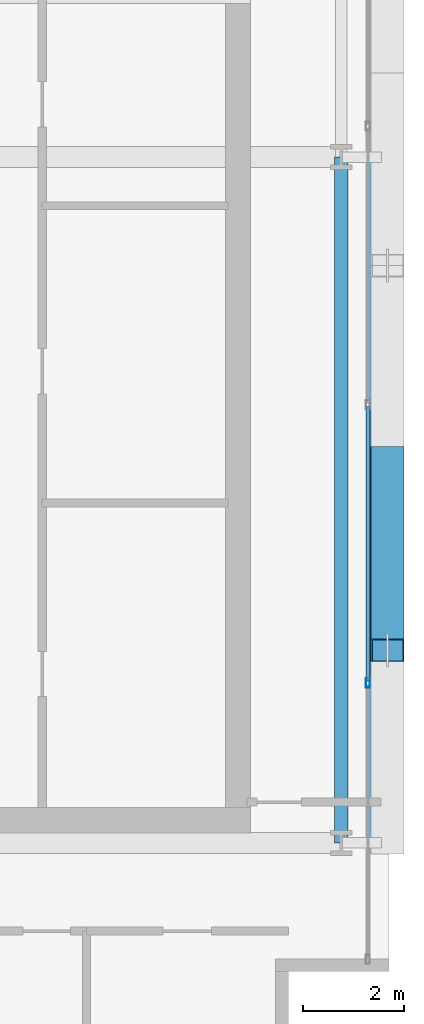
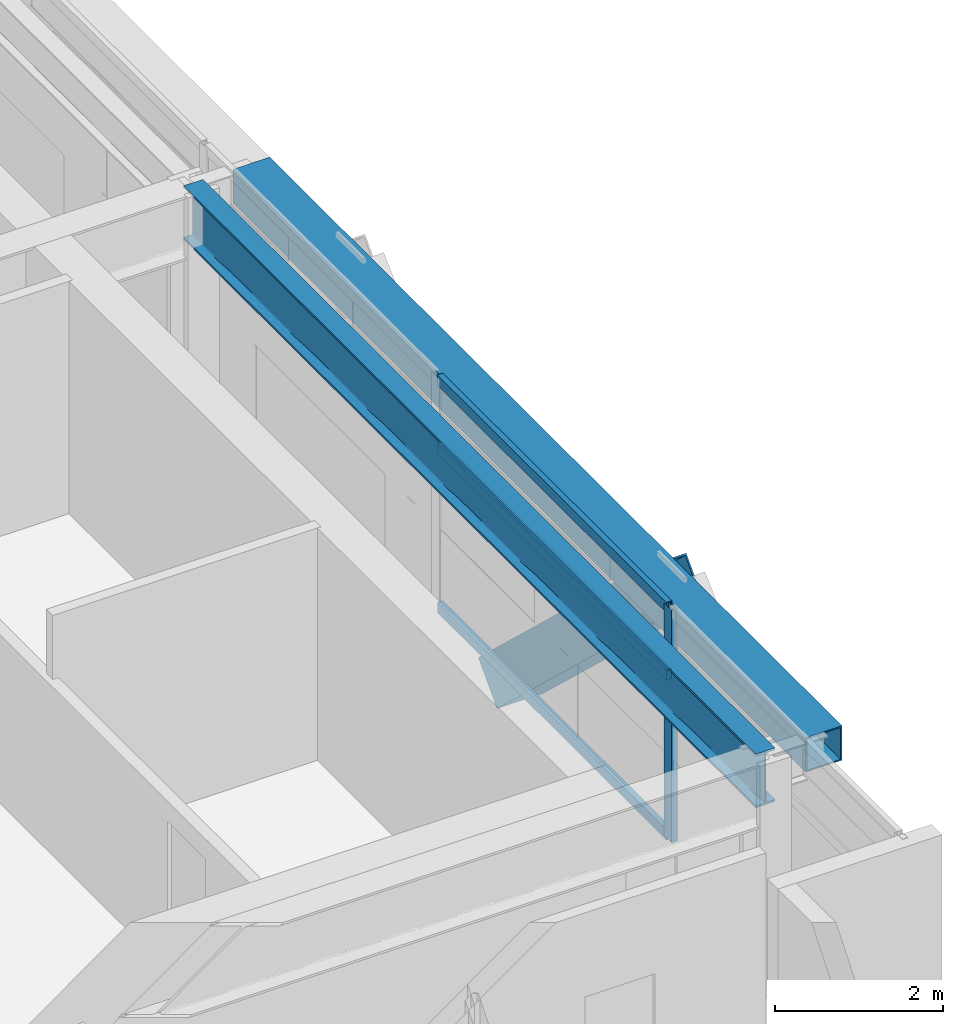
# One storey, part 12 of 32: 5 members, 2 beams, 1 element without a shape of its own.
"""IFC4 building model written with IfcOpenShell, lengths in metres."""

from ifc_helpers import new_model, si_unit, direction, frame, origin, origin_2d, place, context, subcontext, project, spatial, hollow_rectangle, i_section, extrude, source, transform, mapped, material, layer, layer_set, material_profile, profile_set, type_object, element, aggregate, save


model = new_model("IFC4")

# Units and contexts
model_context = context("Model", 3, precision=1e-05, world=origin(), true_north=direction((0.0, 1.0)))
body_context = subcontext(model_context, "Body", "Model", "MODEL_VIEW")
ifc_project = project(units=[si_unit("LENGTHUNIT", "METRE"), si_unit("AREAUNIT", "SQUARE_METRE"), si_unit("VOLUMEUNIT", "CUBIC_METRE"), si_unit("PLANEANGLEUNIT", "RADIAN"), si_unit("MASSUNIT", "GRAM", prefix="KILO")], contexts=[model_context])

# Site, building, storey
site_placement = place(None, origin())
site = spatial("IfcSite", under=ifc_project, at=site_placement, CompositionType="ELEMENT")
building_placement = place(site_placement, origin())
building = spatial("IfcBuilding", under=site, at=building_placement, Name="Ocotamira Hotel", CompositionType="ELEMENT")
storey_placement = place(building_placement, frame((0.0, 0.0, 166.800048828125)))
storey = spatial("IfcBuildingStorey", under=building, at=storey_placement, Name="L41", CompositionType="ELEMENT", Elevation=166.800048828125)

# Beams
ifc_material_1 = material(Name="Steel ASTM A992 Grade 50", Category="steel")
ifc_material_profile_1 = material_profile(ifc_material_1, i_section(OverallWidth=0.26611328125, OverallDepth=0.779052734375, WebThickness=0.0166015625, FlangeThickness=0.030029296875, FilletRadius=0.01806640625, at=origin_2d()), Name="W30X148")
ifc_profile_set_1 = profile_set([ifc_material_profile_1], Name="Steel ASTM A992 Grade 50")
beam_type_1 = type_object("IfcBeamType", Name="BM-GIRD-W30X148", PredefinedType="BEAM", material=ifc_profile_set_1)
shared_shape_1 = source(origin(), body_context, "Body", "SweptSolid", [
    extrude(i_section(OverallWidth=0.26611328125, OverallDepth=0.779052734375, WebThickness=0.0166015625, FlangeThickness=0.030029296875, FilletRadius=0.01806640625, at=origin_2d()), origin(), (0.0, 0.0, 1.0), 13.599853515625),
])
beam_1_placement = place(storey_placement, frame((55.050048828125, 14.550048828125, 2.98046875), z_axis=(0.0, 1.0, 0.0), x_axis=(-1.0, 0.0, 0.0)))
element("IfcBeam", 1, at=beam_1_placement, inside=storey, type_object=beam_type_1, Name="L41 Beam X55.05 Y14.55-28.15", PredefinedType="BEAM", context=body_context, shape_type="MappedRepresentation", body=[
    mapped(shared_shape_1, transform((0.0, 0.0, 0.0), scale=1.0)),
])
ifc_material_2 = material(Name="Steel ASTM A500 Grade C", Category="steel")
ifc_material_profile_2 = material_profile(ifc_material_2, hollow_rectangle(XDim=0.5, YDim=0.5, WallThickness=0.02001953125, at=origin_2d()), Name="HSS500X500X20")
ifc_profile_set_2 = profile_set([ifc_material_profile_2], Name="Steel ASTM A500 Grade C")
beam_type_2 = type_object("IfcBeamType", Name="BM-SPAN-HSS500", PredefinedType="USERDEFINED", material=ifc_profile_set_2)
shared_shape_2 = source(origin(), body_context, "Body", "SweptSolid", [
    extrude(hollow_rectangle(XDim=0.5, YDim=0.5, WallThickness=0.02001953125, at=origin_2d()), origin(), (0.0, 0.0, 1.0), 13.599853515625),
])
beam_2_placement = place(storey_placement, frame((55.85009765625, 14.550048828125, 3.119873046875), z_axis=(0.0, 1.0, 0.0), x_axis=(-1.0, 0.0, 0.0)))
element("IfcBeam", 2, at=beam_2_placement, inside=storey, type_object=beam_type_2, Name="L41 Edge Spandrel E Y14.55-28.15", ObjectType="SPANDREL", PredefinedType="USERDEFINED", context=body_context, shape_type="MappedRepresentation", body=[
    mapped(shared_shape_2, transform((0.0, 0.0, 0.0), scale=1.0)),
])

# Member
ifc_material_3 = material(Name="Pale-metal coated steel ASTM A913 Grade 65", Category="steel")
ifc_material_profile_3 = material_profile(ifc_material_3, hollow_rectangle(XDim=0.64990234375, YDim=0.64990234375, WallThickness=0.02197265625, at=origin_2d()), Name="BOX650X650X22")
ifc_profile_set_3 = profile_set([ifc_material_profile_3], Name="Pale-metal coated steel ASTM A913 Grade 65")
member_type_1 = type_object("IfcMemberType", Name="MEM-EXO-BOX650", PredefinedType="BRACE", material=ifc_profile_set_3)
shared_shape_3 = source(origin(), body_context, "Body", "SweptSolid", [
    extrude(hollow_rectangle(XDim=0.64990234375, YDim=0.64990234375, WallThickness=0.02197265625, at=origin_2d()), origin(), (0.0, 0.0, 1.0), 5.24658203125),
])
member_1_placement = place(storey_placement, frame((55.969970703125, 22.183349609375, -0.47998046875), z_axis=(0.0, -0.72746596067, 0.686143772154), x_axis=(1.0, 0.0, 0.0)))
element("IfcMember", 3, at=member_1_placement, inside=storey, type_object=member_type_1, Name="L41 Exoskeleton Diagrid E0.2", PredefinedType="BRACE", context=body_context, shape_type="MappedRepresentation", body=[
    mapped(shared_shape_3, transform((0.0, 0.0, 0.0), scale=1.0)),
])

# Curtain wall, members
ifc_material_4 = material(Name="Anodised pale-metal aluminium and solar glass", Category="aluminium")
ifc_layer = layer(ifc_material_4, 0.199951171875)
ifc_layer_set = layer_set([ifc_layer], Name="Anodised pale-metal aluminium and solar glass")
curtain_wall_type = type_object("IfcCurtainWallType", Name="CW-SYS4-Z3", PredefinedType="NOTDEFINED", material=ifc_layer_set)
curtain_wall_placement = place(storey_placement, origin())
curtain_wall = element("IfcCurtainWall", 4, at=curtain_wall_placement, inside=storey, type_object=curtain_wall_type, Name="L41 Curtain Wall CW-4 CW-L41-E", PredefinedType="NOTDEFINED")
ifc_material_5 = material(Name="Anodised pale-metal aluminium 6063-T6", Category="aluminium")
ifc_material_profile_4 = material_profile(ifc_material_5, hollow_rectangle(XDim=0.074951171875, YDim=0.14990234375, WallThickness=0.006103515625, at=origin_2d()), Name="HSS150X75X6")
ifc_profile_set_4 = profile_set([ifc_material_profile_4], Name="Anodised pale-metal aluminium 6063-T6")
member_type_2 = type_object("IfcMemberType", Name="CWT-150X75", PredefinedType="USERDEFINED", material=ifc_profile_set_4)
shared_shape_4 = source(origin(), body_context, "Body", "SweptSolid", [
    extrude(hollow_rectangle(XDim=0.074951171875, YDim=0.14990234375, WallThickness=0.006103515625, at=origin_2d()), origin(), (0.0, 0.0, 1.0), 5.43994140625),
])
member_2_placement = place(storey_placement, frame((55.580078125, 17.760009765625, 0.037353515625), z_axis=(0.0, 1.0, 0.0), x_axis=(-1.0, 0.0, 0.0)))
member_2 = element("IfcMember", 5, at=member_2_placement, type_object=member_type_2, Name="CW-4 transom 2.1", ObjectType="TRANSOM", PredefinedType="USERDEFINED", context=body_context, shape_type="MappedRepresentation", body=[
    mapped(shared_shape_4, transform((0.0, 0.0, 0.0), scale=1.0)),
])
member_3_placement = place(storey_placement, frame((55.580078125, 17.760009765625, 2.349853515625), z_axis=(0.0, 1.0, 0.0), x_axis=(-1.0, 0.0, 0.0)))
member_3 = element("IfcMember", 6, at=member_3_placement, type_object=member_type_2, Name="CW-4 transom 2.2", ObjectType="TRANSOM", PredefinedType="USERDEFINED", context=body_context, shape_type="MappedRepresentation", body=[
    mapped(shared_shape_4, transform((0.0, 0.0, 0.0), scale=1.0)),
])
member_4_placement = place(storey_placement, frame((55.580078125, 17.760009765625, 3.33251953125), z_axis=(0.0, 1.0, 0.0), x_axis=(-1.0, 0.0, 0.0)))
member_4 = element("IfcMember", 7, at=member_4_placement, type_object=member_type_2, Name="CW-4 transom 2.3", ObjectType="TRANSOM", PredefinedType="USERDEFINED", context=body_context, shape_type="MappedRepresentation", body=[
    mapped(shared_shape_4, transform((0.0, 0.0, 0.0), scale=1.0)),
])
ifc_material_profile_5 = material_profile(ifc_material_5, hollow_rectangle(XDim=0.080078125, YDim=0.179931640625, WallThickness=0.006103515625, at=origin_2d()), Name="HSS180X80X6")
ifc_profile_set_5 = profile_set([ifc_material_profile_5], Name="Anodised pale-metal aluminium 6063-T6")
member_type_3 = type_object("IfcMemberType", Name="CWM-180X75", PredefinedType="MULLION", material=ifc_profile_set_5)
shared_shape_5 = source(origin(), body_context, "Body", "SweptSolid", [
    extrude(hollow_rectangle(XDim=0.080078125, YDim=0.179931640625, WallThickness=0.006103515625, at=origin_2d()), origin(), (0.0, 0.0, 1.0), 3.369873046875),
])
member_5_placement = place(storey_placement, frame((55.580078125, 17.719970703125, 0.0), z_axis=(0.0, 0.0, 1.0), x_axis=(-1.0, 0.0, 0.0)))
member_5 = element("IfcMember", 8, at=member_5_placement, type_object=member_type_3, Name="CW-4 mullion 2", PredefinedType="MULLION", context=body_context, shape_type="MappedRepresentation", body=[
    mapped(shared_shape_5, transform((0.0, 0.0, 0.0), scale=1.0)),
])
aggregate(curtain_wall, [member_5, member_2, member_3, member_4])

save(model, "model.ifc")
